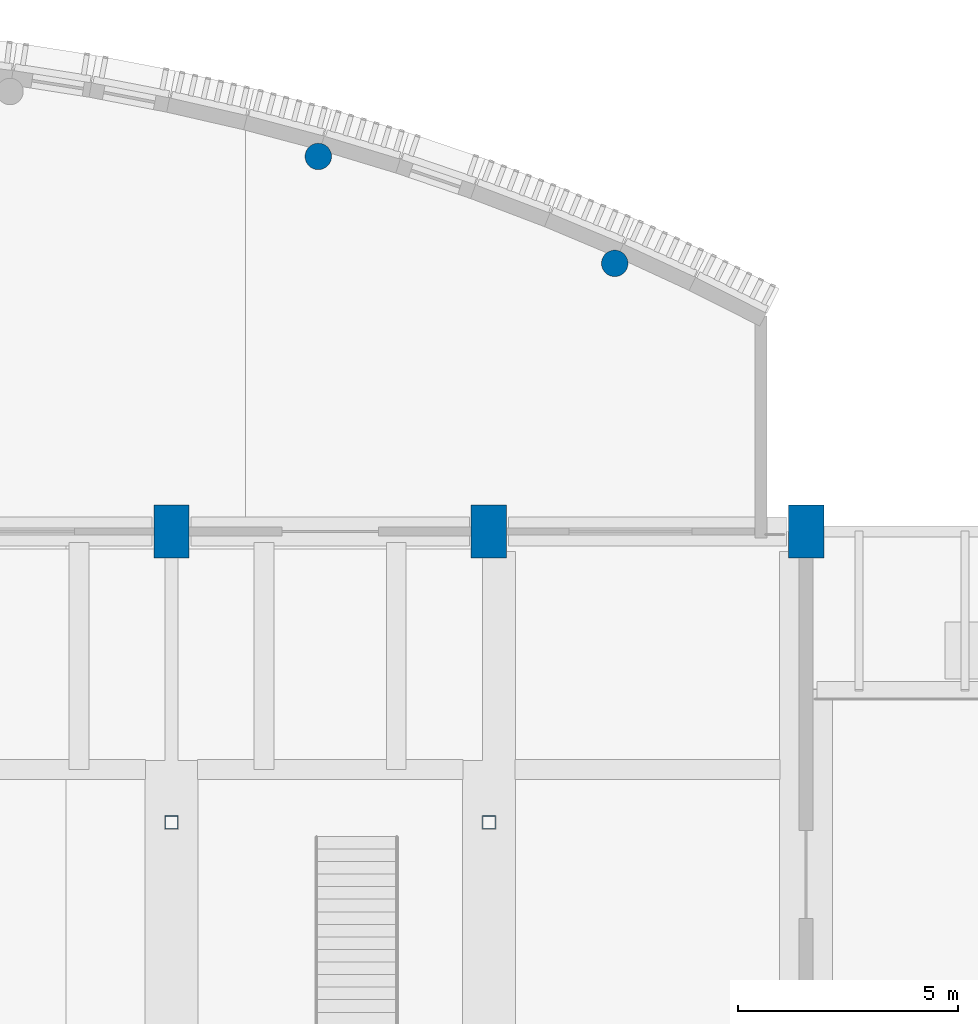
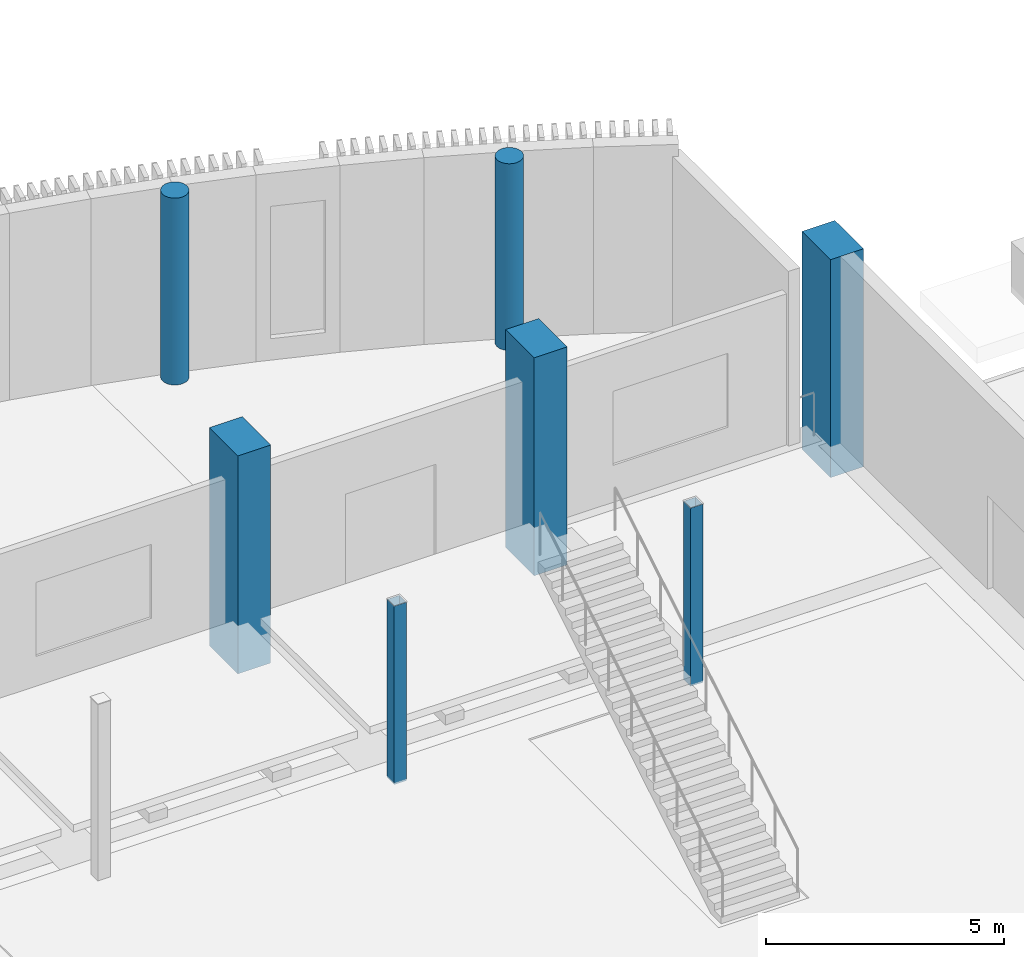
# One storey, part 12 of 82: 7 columns.
"""IFC4 building model written with IfcOpenShell, lengths in metres."""

from ifc_helpers import new_model, si_unit, direction, frame, origin, origin_2d, place, context, subcontext, project, spatial, rectangle, hollow_rectangle, circle, extrude, material, material_profile, profile_set, type_object, element, save


model = new_model("IFC4")

# Units and contexts
model_context = context("Model", 3, precision=1e-05, world=origin(), true_north=direction((0.0, 1.0)))
body_context = subcontext(model_context, "Body", "Model", "MODEL_VIEW")
ifc_project = project(units=[si_unit("LENGTHUNIT", "METRE"), si_unit("AREAUNIT", "SQUARE_METRE"), si_unit("VOLUMEUNIT", "CUBIC_METRE"), si_unit("PLANEANGLEUNIT", "RADIAN"), si_unit("MASSUNIT", "GRAM", prefix="KILO")], contexts=[model_context])

# Site, building, storey
site_placement = place(None, origin())
site = spatial("IfcSite", under=ifc_project, at=site_placement, CompositionType="ELEMENT")
building_placement = place(site_placement, origin())
building = spatial("IfcBuilding", under=site, at=building_placement, Name="Sardonyx Promenade Sports Hall", CompositionType="ELEMENT")
storey_placement = place(building_placement, frame((0.0, 0.0, 11.199951171875)))
storey = spatial("IfcBuildingStorey", under=building, at=storey_placement, Name="L02", CompositionType="ELEMENT", Elevation=11.199951171875)

# Columns
ifc_material_1 = material(Name="Concrete C50/60", Category="concrete")
ifc_material_profile_1 = material_profile(ifc_material_1, rectangle(XDim=0.800048828125, YDim=1.199951171875, at=origin_2d()))
ifc_profile_set_1 = profile_set([ifc_material_profile_1], Name="Concrete C50/60")
column_type_1 = type_object("IfcColumnType", Name="Col_Ext_RC800x1200", PredefinedType="COLUMN", material=ifc_profile_set_1)
for number, where, z_axis, x_axis, name in (
    (1, (64.800048828125, 104.39990234375, -0.800048828125), (0.0, 0.0, 1.0), (1.0, 0.0, 0.0), "Column CE08 L02 (64.8,104.4)"),
    (2, (72.0, 104.39990234375, -0.800048828125), (0.0, 0.0, 1.0), (1.0, 0.0, 0.0), "Column CE08 L02 (72.0,104.4)"),
    (3, (79.199951171875, 104.39990234375, -0.800048828125), (0.0, 0.0, 1.0), (1.0, 0.0, 0.0), "Column CE08 L02 (79.2,104.4)"),
):
    element("IfcColumn", number, at=place(storey_placement, frame(where, z_axis=z_axis, x_axis=x_axis)), inside=storey, type_object=column_type_1, Name=name, PredefinedType="COLUMN", context=body_context, shape_type="SweptSolid", body=[
        extrude(rectangle(XDim=0.800048828125, YDim=1.199951171875, at=origin_2d()), origin(), (0.0, 0.0, 1.0), 5.60009765625),
    ])
ifc_material_2 = material(Name="Concrete C40/50", Category="concrete")
ifc_material_profile_2 = material_profile(ifc_material_2, circle(Radius=0.300048828125, at=origin_2d()))
ifc_profile_set_2 = profile_set([ifc_material_profile_2], Name="Concrete C40/50")
column_type_2 = type_object("IfcColumnType", Name="Col_Ext_RCD600", PredefinedType="COLUMN", material=ifc_profile_set_2)
for number, where, z_axis, x_axis, name in (
    (4, (68.1298828125, 112.910888671875, 0.0), (0.0, 0.0, 1.0), (1.0, 0.0, 0.0), "Column CE15 L02 (68.1,112.9)"),
    (5, (74.85595703125, 110.48486328125, 0.0), (0.0, 0.0, 1.0), (1.0, 0.0, 0.0), "Column CE15 L02 (74.9,110.5)"),
):
    element("IfcColumn", number, at=place(storey_placement, frame(where, z_axis=z_axis, x_axis=x_axis)), inside=storey, type_object=column_type_2, Name=name, PredefinedType="COLUMN", context=body_context, shape_type="SweptSolid", body=[
        extrude(circle(Radius=0.300048828125, at=origin_2d()), origin(), (0.0, 0.0, 1.0), 4.800048828125),
    ])
ifc_material_3 = material(Name="Steel S355JR", Category="steel")
ifc_material_profile_3 = material_profile(ifc_material_3, hollow_rectangle(XDim=0.300048828125, YDim=0.300048828125, WallThickness=0.012451171875, at=origin_2d()))
ifc_profile_set_3 = profile_set([ifc_material_profile_3], Name="Steel S355JR")
column_type_3 = type_object("IfcColumnType", Name="Col_Int_SHS300", PredefinedType="COLUMN", material=ifc_profile_set_3)
for number, where, z_axis, x_axis, name in (
    (6, (64.800048828125, 97.800048828125, 0.0), (0.0, 0.0, 1.0), (1.0, 0.0, 0.0), "Upper-bowl transfer post 10N"),
    (7, (72.0, 97.800048828125, 0.0), (0.0, 0.0, 1.0), (1.0, 0.0, 0.0), "Upper-bowl transfer post 11N"),
):
    element("IfcColumn", number, at=place(storey_placement, frame(where, z_axis=z_axis, x_axis=x_axis)), inside=storey, type_object=column_type_3, Name=name, PredefinedType="COLUMN", context=body_context, shape_type="SweptSolid", body=[
        extrude(hollow_rectangle(XDim=0.300048828125, YDim=0.300048828125, WallThickness=0.012451171875, at=origin_2d()), origin(), (0.0, 0.0, 1.0), 4.580078125),
    ])

save(model, "model.ifc")
